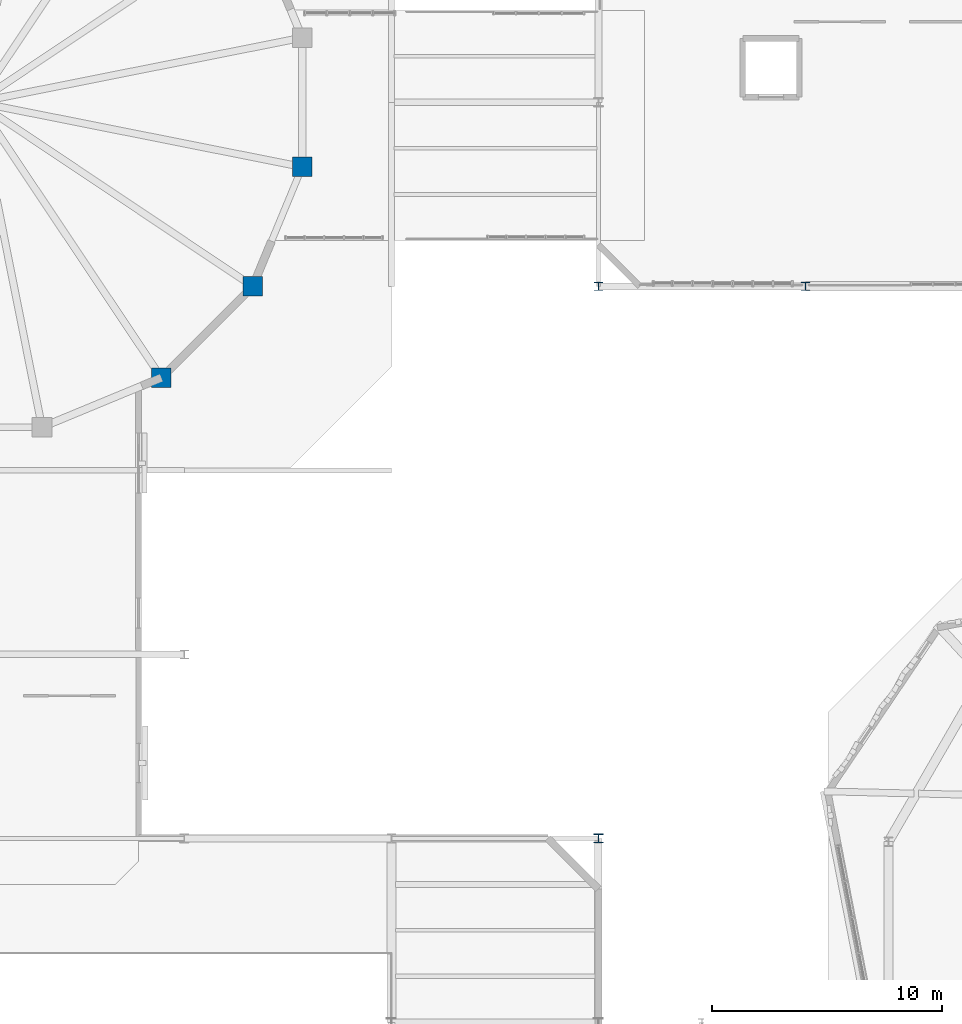
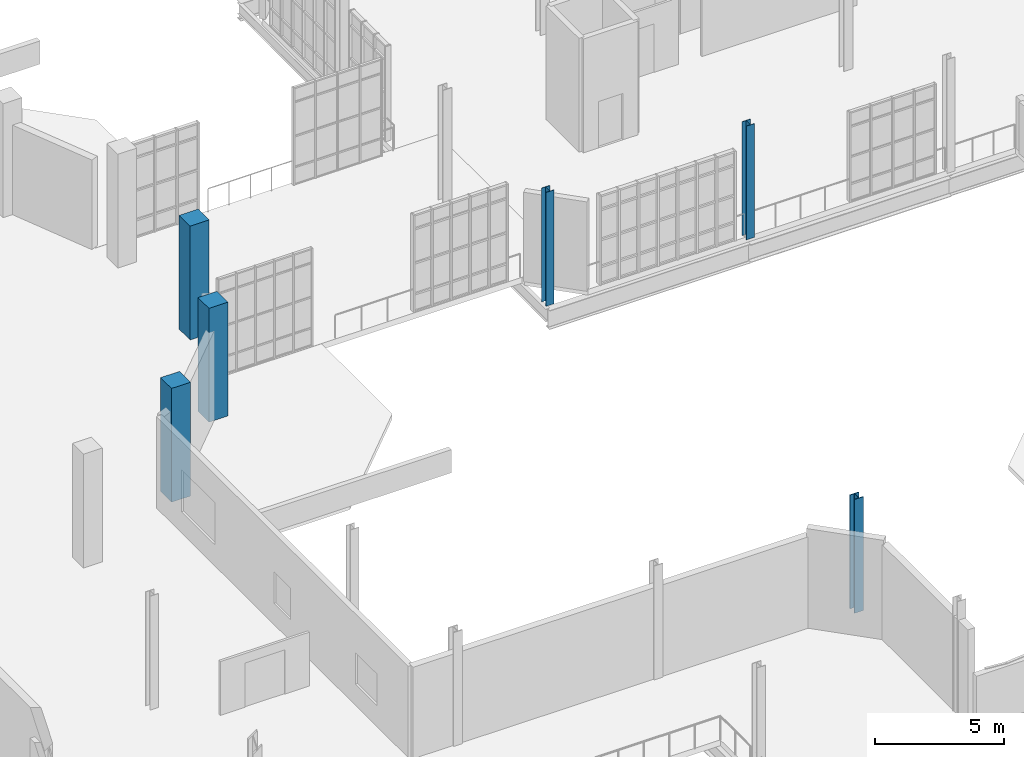
# One storey, part 4 of 142: 6 columns.
"""IFC4 building model written with IfcOpenShell, lengths in metres."""

from ifc_helpers import new_model, si_unit, direction, frame, origin, origin_2d, place, context, subcontext, project, spatial, rectangle, i_section, extrude, material, material_profile, profile_set, type_object, element, save


model = new_model("IFC4")

# Units and contexts
model_context = context("Model", 3, precision=1e-05, world=origin(), true_north=direction((0.0, 1.0)))
body_context = subcontext(model_context, "Body", "Model", "MODEL_VIEW")
ifc_project = project(units=[si_unit("LENGTHUNIT", "METRE"), si_unit("AREAUNIT", "SQUARE_METRE"), si_unit("VOLUMEUNIT", "CUBIC_METRE"), si_unit("PLANEANGLEUNIT", "RADIAN"), si_unit("MASSUNIT", "GRAM", prefix="KILO"), si_unit("THERMODYNAMICTEMPERATUREUNIT", "KELVIN"), si_unit("POWERUNIT", "WATT")], contexts=[model_context])

# Site, building, storey
site_placement = place(None, origin())
site = spatial("IfcSite", under=ifc_project, at=site_placement, CompositionType="ELEMENT")
building_placement = place(site_placement, origin())
building = spatial("IfcBuilding", under=site, at=building_placement, Name="Zelmaris Science Centre", CompositionType="ELEMENT")
storey_placement = place(building_placement, frame((0.0, 0.0, 5.39990234375)))
storey = spatial("IfcBuildingStorey", under=building, at=storey_placement, Name="L01", CompositionType="ELEMENT", Elevation=5.39990234375)

# Columns
ifc_material_1 = material(Name="Steel ASTM A992 Grade 50", Category="steel")
ifc_material_profile_1 = material_profile(ifc_material_1, i_section(OverallWidth=0.39892578125, OverallDepth=0.385986328125, WebThickness=0.02099609375, FlangeThickness=0.033203125, FilletRadius=0.014892578125, at=origin_2d()), Name="W14X176")
ifc_profile_set_1 = profile_set([ifc_material_profile_1], Name="Steel ASTM A992 Grade 50")
column_type_1 = type_object("IfcColumnType", Name="Column C-04 W14X176", PredefinedType="COLUMN", material=ifc_profile_set_1)
column_placement = place(storey_placement, frame((54.0, 40.0, 0.0), z_axis=(0.0, 0.0, 1.0), x_axis=(1.0, 0.0, 0.0)))
element("IfcColumn", 1, at=column_placement, inside=storey, type_object=column_type_1, Name="Column V3-P-54-40 L01", PredefinedType="COLUMN", context=body_context, shape_type="SweptSolid", body=[
    extrude(i_section(OverallWidth=0.39892578125, OverallDepth=0.385986328125, WebThickness=0.02099609375, FlangeThickness=0.033203125, FilletRadius=0.014892578125, at=origin_2d()), origin(), (0.0, 0.0, 1.0), 5.400146484375),
])
ifc_material_profile_2 = material_profile(ifc_material_1, i_section(OverallWidth=0.367919921875, OverallDepth=0.35595703125, WebThickness=0.01123046875, FlangeThickness=0.01806640625, FilletRadius=0.014892578125, at=origin_2d()), Name="W14X90")
ifc_profile_set_2 = profile_set([ifc_material_profile_2], Name="Steel ASTM A992 Grade 50")
column_type_2 = type_object("IfcColumnType", Name="Column C-07 W14X90", PredefinedType="COLUMN", material=ifc_profile_set_2)
for number, where, z_axis, x_axis, name in (
    (2, (54.0, 64.0, 0.0), (0.0, 0.0, 1.0), (1.0, 0.0, 0.0), "Column V5-C-54-64 L01"),
    (3, (63.0, 64.0, 0.0), (0.0, 0.0, 1.0), (1.0, 0.0, 0.0), "Column V5-C-63-64 L01"),
):
    element("IfcColumn", number, at=place(storey_placement, frame(where, z_axis=z_axis, x_axis=x_axis)), inside=storey, type_object=column_type_2, Name=name, PredefinedType="COLUMN", context=body_context, shape_type="SweptSolid", body=[
        extrude(i_section(OverallWidth=0.367919921875, OverallDepth=0.35595703125, WebThickness=0.01123046875, FlangeThickness=0.01806640625, FilletRadius=0.014892578125, at=origin_2d()), origin(), (0.0, 0.0, 1.0), 5.400146484375),
    ])
ifc_material_2 = material(Name="Concrete C40/50", Category="concrete")
ifc_material_profile_3 = material_profile(ifc_material_2, rectangle(XDim=0.85009765625, YDim=0.85009765625, at=origin_2d()), Name="RC-COL-850X850")
ifc_profile_set_3 = profile_set([ifc_material_profile_3], Name="Concrete C40/50")
column_type_3 = type_object("IfcColumnType", Name="Column C-14 RC-COL-850X850", PredefinedType="COLUMN", material=ifc_profile_set_3)
for number, where, z_axis, x_axis, name in (
    (4, (35.000244140625, 60.02685546875, 0.0), (0.0, 0.0, 1.0), (1.0, 0.0, 0.0), "Column V1-DC14 L01"),
    (5, (38.97314453125, 63.999755859375, 0.0), (0.0, 0.0, 1.0), (1.0, 0.0, 0.0), "Column V1-DC15 L01"),
    (6, (41.123291015625, 69.190673828125, 0.0), (0.0, 0.0, 1.0), (1.0, 0.0, 0.0), "Column V1-DC16 L01"),
):
    element("IfcColumn", number, at=place(storey_placement, frame(where, z_axis=z_axis, x_axis=x_axis)), inside=storey, type_object=column_type_3, Name=name, PredefinedType="COLUMN", context=body_context, shape_type="SweptSolid", body=[
        extrude(rectangle(XDim=0.85009765625, YDim=0.85009765625, at=origin_2d()), origin(), (0.0, 0.0, 1.0), 5.400146484375),
    ])

save(model, "model.ifc")
